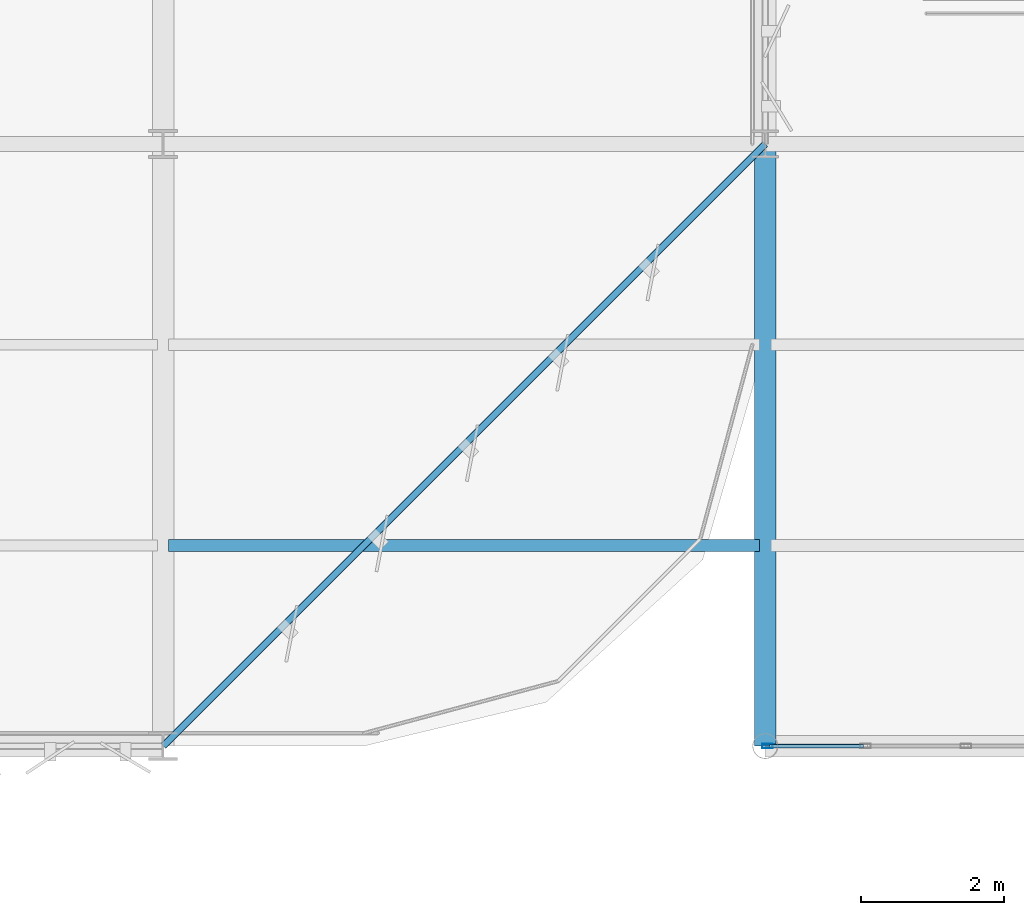
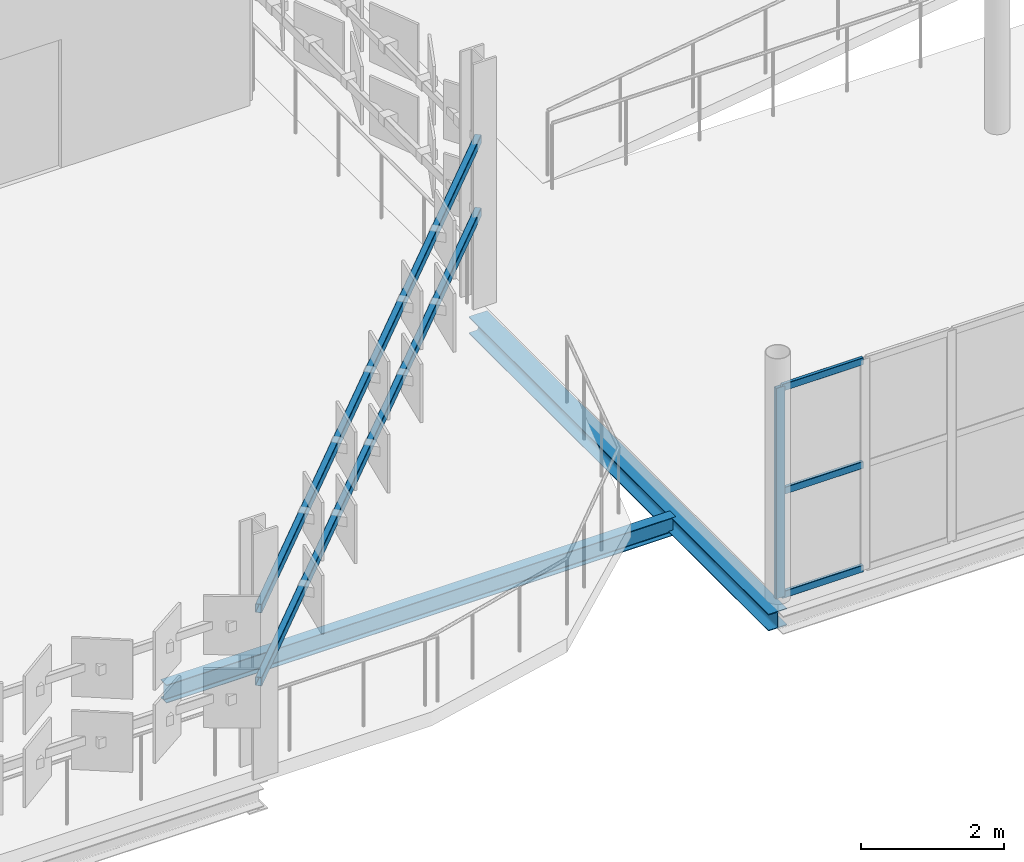
# One storey, part 128 of 184: 4 beams, 4 members, 1 element without a shape of its own.
"""IFC4 building model written with IfcOpenShell, lengths in metres."""

from ifc_helpers import new_model, si_unit, direction, frame, origin, origin_2d, place, context, subcontext, project, spatial, hollow_rectangle, i_section, extrude, material, layer, layer_set, material_profile, profile_set, type_object, element, aggregate, save


model = new_model("IFC4")

# Units and contexts
model_context = context("Model", 3, precision=1e-05, world=origin(), true_north=direction((0.0, 1.0)))
body_context = subcontext(model_context, "Body", "Model", "MODEL_VIEW")
ifc_project = project(units=[si_unit("LENGTHUNIT", "METRE"), si_unit("AREAUNIT", "SQUARE_METRE"), si_unit("VOLUMEUNIT", "CUBIC_METRE"), si_unit("PLANEANGLEUNIT", "RADIAN"), si_unit("MASSUNIT", "GRAM", prefix="KILO")], contexts=[model_context])

# Site, building, storey
site_placement = place(None, origin())
site = spatial("IfcSite", under=ifc_project, at=site_placement, CompositionType="ELEMENT")
building_placement = place(site_placement, origin())
building = spatial("IfcBuilding", under=site, at=building_placement, Name="Qalvenar Corner Mobility Hub", CompositionType="ELEMENT")
storey_placement = place(building_placement, frame((0.0, 0.0, 9.0)))
storey = spatial("IfcBuildingStorey", under=building, at=storey_placement, Name="L02", CompositionType="ELEMENT", Elevation=9.0)

# Beams
ifc_material_1 = material(Name="Steel S355", Category="steel")
ifc_material_profile_1 = material_profile(ifc_material_1, i_section(OverallWidth=0.1650390625, OverallDepth=0.31005859375, WebThickness=0.005859375, FlangeThickness=0.009765625, FilletRadius=0.011962890625, at=origin_2d()), Name="W310x38.7")
ifc_profile_set_1 = profile_set([ifc_material_profile_1], Name="Steel S355")
beam_type_1 = type_object("IfcBeamType", Name="BM-JST310", PredefinedType="JOIST", material=ifc_profile_set_1)
beam_1_placement = place(storey_placement, frame((134.47802734375, 70.0, -0.39501953125), z_axis=(1.0, 0.0, 0.0), x_axis=(0.0, 1.0, 0.0)))
element("IfcBeam", 1, at=beam_1_placement, inside=storey, type_object=beam_type_1, Name="Composite Floor Joist J-2144", PredefinedType="JOIST", context=body_context, shape_type="SweptSolid", body=[
    extrude(i_section(OverallWidth=0.1650390625, OverallDepth=0.31005859375, WebThickness=0.005859375, FlangeThickness=0.009765625, FilletRadius=0.011962890625, at=origin_2d()), origin(), (0.0, 0.0, 1.0), 8.243896484375),
])
ifc_material_profile_2 = material_profile(ifc_material_1, i_section(OverallWidth=0.300048828125, OverallDepth=0.2900390625, WebThickness=0.008544921875, FlangeThickness=0.013916015625, FilletRadius=0.027099609375, at=origin_2d()), Name="HEA300")
ifc_profile_set_2 = profile_set([ifc_material_profile_2], Name="Steel S355")
beam_type_2 = type_object("IfcBeamType", Name="BM-SPN300", PredefinedType="SPANDREL", material=ifc_profile_set_2)
beam_2_placement = place(storey_placement, frame((142.800048828125, 67.199951171875, -0.385009765625), z_axis=(0.0, 1.0, 0.0), x_axis=(-1.0, 0.0, 0.0)))
element("IfcBeam", 2, at=beam_2_placement, inside=storey, type_object=beam_type_2, Name="Primary Steel Girder GY-2128", PredefinedType="SPANDREL", context=body_context, shape_type="SweptSolid", body=[
    extrude(i_section(OverallWidth=0.300048828125, OverallDepth=0.2900390625, WebThickness=0.008544921875, FlangeThickness=0.013916015625, FilletRadius=0.027099609375, at=origin_2d()), origin(), (0.0, 0.0, 1.0), 8.400146484375),
])

# Curtain wall, members
ifc_material_2 = material(Name="Anodised Aluminium and Low-E Glazing", Category="aluminium")
ifc_layer = layer(ifc_material_2, 0.1201171875)
ifc_layer_set = layer_set([ifc_layer], Name="Anodised Aluminium and Low-E Glazing")
curtain_wall_type = type_object("IfcCurtainWallType", Name="CW-STR-42X40", PredefinedType="NOTDEFINED", material=ifc_layer_set)
curtain_wall_placement = place(storey_placement, origin())
curtain_wall = element("IfcCurtainWall", 3, at=curtain_wall_placement, inside=storey, type_object=curtain_wall_type, Name="Glazed Curtain Wall CW-V2-L02-S0", PredefinedType="NOTDEFINED")
ifc_material_3 = material(Name="Anodised Aluminium 6063-T6", Category="aluminium")
ifc_material_profile_3 = material_profile(ifc_material_3, hollow_rectangle(XDim=0.06005859375, YDim=0.14990234375, WallThickness=0.00390625, InnerFilletRadius=0.00390625, OuterFilletRadius=0.008056640625, at=origin_2d()), Name="RHS150x60x4")
ifc_profile_set_3 = profile_set([ifc_material_profile_3], Name="Anodised Aluminium 6063-T6")
member_type_1 = type_object("IfcMemberType", Name="CW-MUL150", PredefinedType="MULLION", material=ifc_profile_set_3)
member_1_placement = place(storey_placement, frame((142.830078125, 67.199951171875, 0.0), z_axis=(0.0, 0.0, 1.0), x_axis=(0.0, 1.0, 0.0)))
member_1 = element("IfcMember", 4, at=member_1_placement, type_object=member_type_1, Name="CW-10 mullion 1", PredefinedType="MULLION", context=body_context, shape_type="SweptSolid", body=[
    extrude(hollow_rectangle(XDim=0.06005859375, YDim=0.14990234375, WallThickness=0.00390625, InnerFilletRadius=0.00390625, OuterFilletRadius=0.008056640625, at=origin_2d()), origin(), (0.0, 0.0, 1.0), 3.60009765625),
])
ifc_material_profile_4 = material_profile(ifc_material_3, hollow_rectangle(XDim=0.054931640625, YDim=0.1201171875, WallThickness=0.00341796875, InnerFilletRadius=0.00341796875, OuterFilletRadius=0.007080078125, at=origin_2d()), Name="RHS120x55x3.5")
ifc_profile_set_4 = profile_set([ifc_material_profile_4], Name="Anodised Aluminium 6063-T6")
member_type_2 = type_object("IfcMemberType", Name="CW-TRN120", PredefinedType="USERDEFINED", material=ifc_profile_set_4)
member_2_placement = place(storey_placement, frame((142.860107421875, 67.199951171875, 0.027587890625), z_axis=(1.0, 0.0, 0.0), x_axis=(0.0, 1.0, 0.0)))
member_2 = element("IfcMember", 5, at=member_2_placement, type_object=member_type_2, Name="CW-10 transom 1.1", ObjectType="TRANSOM", PredefinedType="USERDEFINED", context=body_context, shape_type="SweptSolid", body=[
    extrude(hollow_rectangle(XDim=0.054931640625, YDim=0.1201171875, WallThickness=0.00341796875, InnerFilletRadius=0.00341796875, OuterFilletRadius=0.007080078125, at=origin_2d()), origin(), (0.0, 0.0, 1.0), 1.309814453125),
])
member_3_placement = place(storey_placement, frame((142.860107421875, 67.199951171875, 1.800048828125), z_axis=(1.0, 0.0, 0.0), x_axis=(0.0, 1.0, 0.0)))
member_3 = element("IfcMember", 6, at=member_3_placement, type_object=member_type_2, Name="CW-10 transom 1.2", ObjectType="TRANSOM", PredefinedType="USERDEFINED", context=body_context, shape_type="SweptSolid", body=[
    extrude(hollow_rectangle(XDim=0.054931640625, YDim=0.1201171875, WallThickness=0.00341796875, InnerFilletRadius=0.00341796875, OuterFilletRadius=0.007080078125, at=origin_2d()), origin(), (0.0, 0.0, 1.0), 1.309814453125),
])
member_4_placement = place(storey_placement, frame((142.860107421875, 67.199951171875, 3.572509765625), z_axis=(1.0, 0.0, 0.0), x_axis=(0.0, 1.0, 0.0)))
member_4 = element("IfcMember", 7, at=member_4_placement, type_object=member_type_2, Name="CW-10 transom 1.3", ObjectType="TRANSOM", PredefinedType="USERDEFINED", context=body_context, shape_type="SweptSolid", body=[
    extrude(hollow_rectangle(XDim=0.054931640625, YDim=0.1201171875, WallThickness=0.00341796875, InnerFilletRadius=0.00341796875, OuterFilletRadius=0.007080078125, at=origin_2d()), origin(), (0.0, 0.0, 1.0), 1.309814453125),
])
aggregate(curtain_wall, [member_1, member_2, member_3, member_4])

# Beams
ifc_material_profile_5 = material_profile(ifc_material_1, hollow_rectangle(XDim=0.10009765625, YDim=0.14990234375, WallThickness=0.00634765625, InnerFilletRadius=0.00634765625, OuterFilletRadius=0.0126953125, at=origin_2d()), Name="RHS150x100x6.3")
ifc_profile_set_5 = profile_set([ifc_material_profile_5], Name="Steel S355")
beam_type_3 = type_object("IfcBeamType", Name="FR-RAIL150", PredefinedType="SPANDREL", material=ifc_profile_set_5)
for number, where, z_axis, x_axis, name in (
    (8, (134.39990234375, 67.199951171875, 1.5), (0.707106781187, 0.707106781187, 0.0), (-0.707106781187, 0.707106781187, 0.0), "Corner Facade Rail FRC-L02-0091"),
    (9, (134.39990234375, 67.199951171875, 2.75), (0.707106781187, 0.707106781187, 0.0), (-0.707106781187, 0.707106781187, 0.0), "Corner Facade Rail FRC-L02-0092"),
):
    element("IfcBeam", number, at=place(storey_placement, frame(where, z_axis=z_axis, x_axis=x_axis)), inside=storey, type_object=beam_type_3, Name=name, PredefinedType="SPANDREL", context=body_context, shape_type="SweptSolid", body=[
        extrude(hollow_rectangle(XDim=0.10009765625, YDim=0.14990234375, WallThickness=0.00634765625, InnerFilletRadius=0.00634765625, OuterFilletRadius=0.0126953125, at=origin_2d()), origin(), (0.0, 0.0, 1.0), 11.879638671875),
    ])

save(model, "model.ifc")
